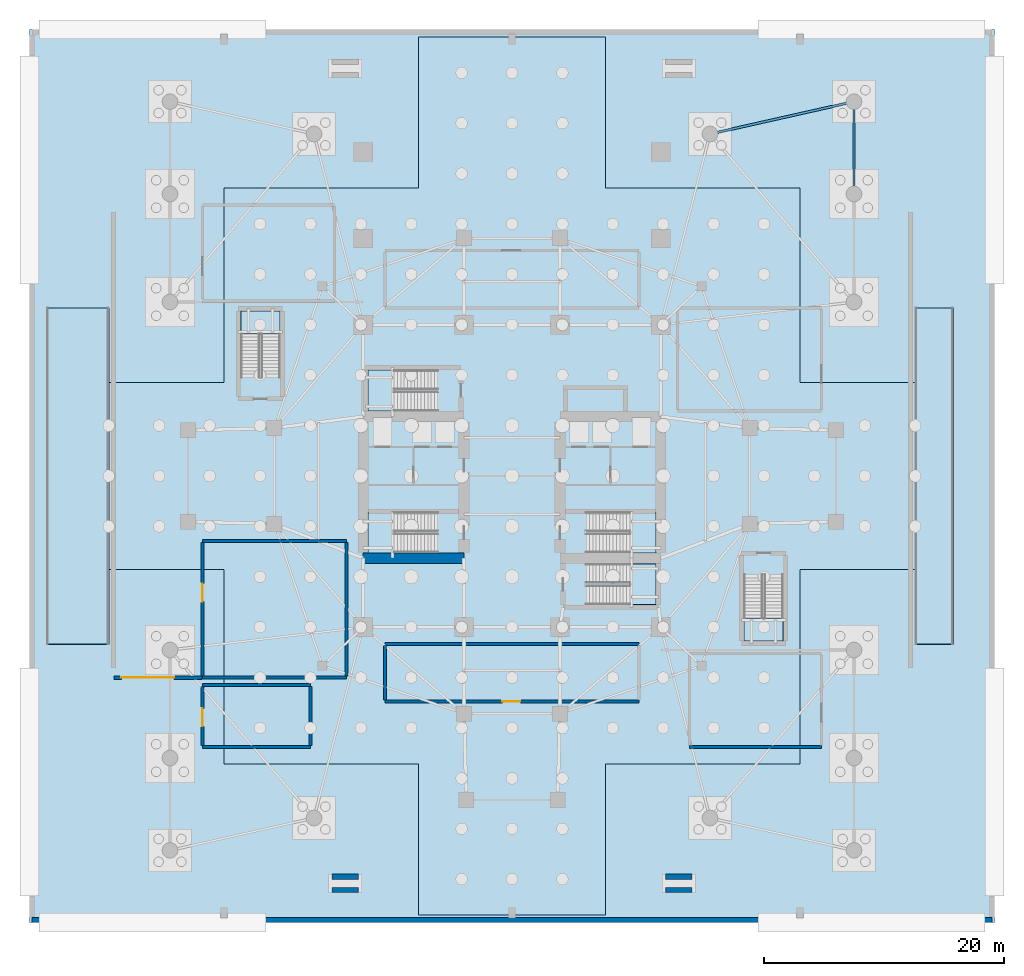
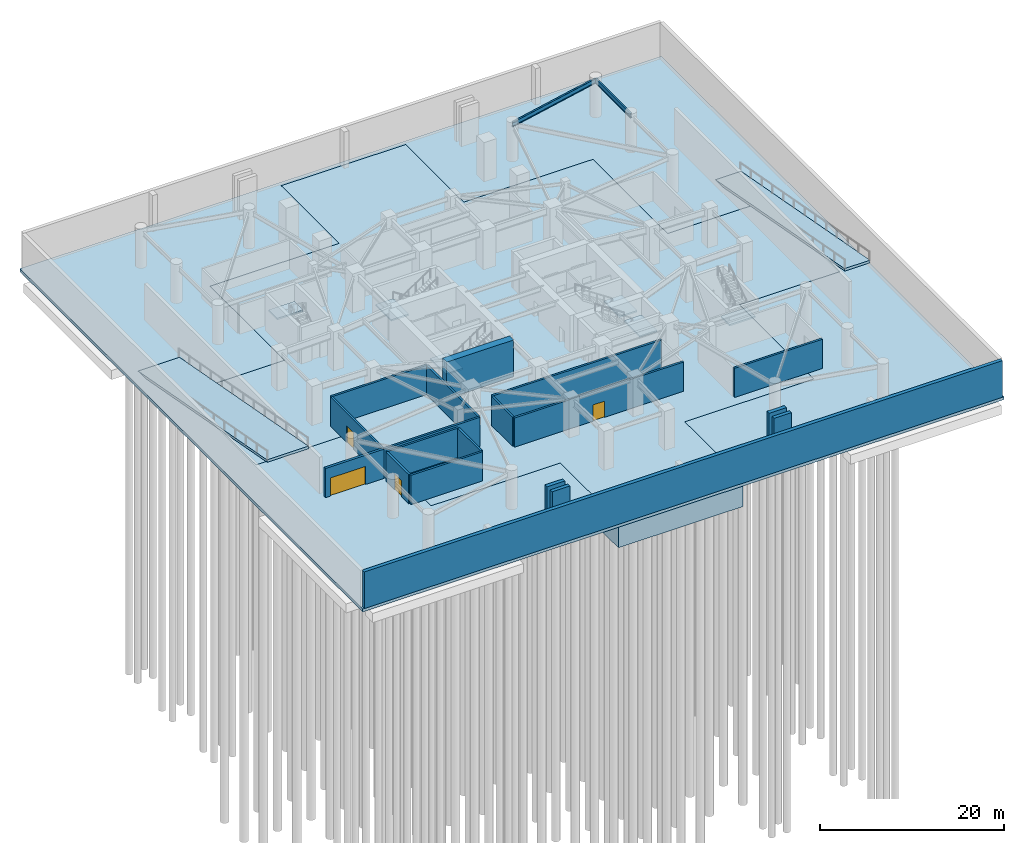
# One storey, part 4 of 14: 19 walls, 10 slabs, 4 doors, 2 beams, 4 openings, 6 elements without a shape of their own.
"""IFC4 building model written with IfcOpenShell, lengths in metres."""

from ifc_helpers import new_model, si_unit, direction, frame, frame_2d, origin, origin_2d, place, context, subcontext, project, spatial, polyline, rectangle, i_section, outline, extrude, material, layer, layer_set, material_profile, profile_set, type_object, element, fill, aggregate, save


model = new_model("IFC4")

# Units and contexts
model_context = context("Model", 3, precision=1e-05, world=origin(), true_north=direction((0.0, 1.0)))
body_context = subcontext(model_context, "Body", "Model", "MODEL_VIEW")
ifc_project = project(units=[si_unit("LENGTHUNIT", "METRE"), si_unit("AREAUNIT", "SQUARE_METRE"), si_unit("VOLUMEUNIT", "CUBIC_METRE"), si_unit("PLANEANGLEUNIT", "RADIAN"), si_unit("MASSUNIT", "GRAM", prefix="KILO")], contexts=[model_context])

# Site, building, storey
site_placement = place(None, origin())
site = spatial("IfcSite", under=ifc_project, at=site_placement, CompositionType="ELEMENT")
building_placement = place(site_placement, origin())
building = spatial("IfcBuilding", under=site, at=building_placement, Name="Qingluan Cross Belvedere", CompositionType="ELEMENT")
storey_placement = place(building_placement, frame((0.0, 0.0, -10.39990234375)))
storey = spatial("IfcBuildingStorey", under=building, at=storey_placement, Name="B2", CompositionType="ELEMENT", Elevation=-10.39990234375)

# Beams
ifc_material_1 = material(Name="Steel Q420GJB", Category="steel")
ifc_material_profile = material_profile(ifc_material_1, i_section(OverallWidth=0.199951171875, OverallDepth=0.60009765625, WebThickness=0.010986328125, FlangeThickness=0.01708984375, FilletRadius=0.01806640625, at=origin_2d()), Name="HN600x200x11x17")
ifc_profile_set = profile_set([ifc_material_profile], Name="Steel Q420GJB")
beam_type = type_object("IfcBeamType", Name="Steel_Beam_HN600x200x11x17", PredefinedType="JOIST", material=ifc_profile_set)
beam_1_placement = place(storey_placement, frame((28.5, 23.5, 4.5498046875), z_axis=(0.0, 1.0, 0.0), x_axis=(-1.0, 0.0, 0.0)))
element("IfcBeam", 1, at=beam_1_placement, inside=storey, type_object=beam_type, Name="Podium quadrant tie beam B2-EN24", PredefinedType="JOIST", context=body_context, shape_type="SweptSolid", body=[
    extrude(i_section(OverallWidth=0.199951171875, OverallDepth=0.60009765625, WebThickness=0.010986328125, FlangeThickness=0.01708984375, FilletRadius=0.01806640625, at=origin_2d()), origin(), (0.0, 0.0, 1.0), 7.699951171875),
])
beam_2_placement = place(storey_placement, frame((16.5, 28.5, 4.5498046875), z_axis=(0.975610606249, 0.219508416636, 0.0), x_axis=(-0.219508416636, 0.975610606249, 0.0)))
element("IfcBeam", 2, at=beam_2_placement, inside=storey, type_object=beam_type, Name="Podium quadrant tie beam B2-EN34", PredefinedType="JOIST", context=body_context, shape_type="SweptSolid", body=[
    extrude(i_section(OverallWidth=0.199951171875, OverallDepth=0.60009765625, WebThickness=0.010986328125, FlangeThickness=0.01708984375, FilletRadius=0.01806640625, at=origin_2d()), origin(), (0.0, 0.0, 1.0), 12.300048828125),
])

# Slabs
ifc_material_2 = material(Name="Concrete C40", Category="concrete")
ifc_layer_1 = layer(ifc_material_2, 0.39990234375, Name="BasementMat_400")
ifc_layer_set_1 = layer_set([ifc_layer_1], Name="Concrete C40")
slab_type_1 = type_object("IfcSlabType", Name="BasementMat_400", PredefinedType="BASESLAB", material=ifc_layer_set_1)
slab_1_placement = place(storey_placement, frame((0.0, 0.0, -0.400146484375)))
element("IfcSlab", 3, at=slab_1_placement, inside=storey, type_object=slab_type_1, Name="Basement mat slab sector 1", PredefinedType="BASESLAB", context=body_context, shape_type="SweptSolid", body=[
    extrude(outline(polyline([(-40.199951171875, -37.199951171875), (-40.199951171875, 37.199951171875), (40.199951171875, 37.199951171875), (40.199951171875, -37.199951171875), (-40.199951171875, -37.199951171875)]), holes=[polyline([(24.0, -24.0), (24.0, -7.800048828125), (36.60009765625, -7.800048828125), (36.60009765625, 7.800048828125), (24.0, 7.800048828125), (24.0, 24.0), (7.800048828125, 24.0), (7.800048828125, 36.60009765625), (-7.800048828125, 36.60009765625), (-7.800048828125, 24.0), (-24.0, 24.0), (-24.0, 7.800048828125), (-36.60009765625, 7.800048828125), (-36.60009765625, -7.800048828125), (-24.0, -7.800048828125), (-24.0, -24.0), (-7.800048828125, -24.0), (-7.800048828125, -36.60009765625), (7.800048828125, -36.60009765625), (7.800048828125, -24.0), (24.0, -24.0)])]), origin(), (0.0, 0.0, 1.0), 0.400146484375),
])
ifc_material_3 = material(Name="Concrete C40", Category="concrete")
ifc_layer_2 = layer(ifc_material_3, 3.60009765625, Name="RaftSlab_3600")
ifc_layer_set_2 = layer_set([ifc_layer_2], Name="Concrete C40")
slab_type_2 = type_object("IfcSlabType", Name="RaftSlab_3600", PredefinedType="BASESLAB", material=ifc_layer_set_2)
slab_2_placement = place(storey_placement, frame((0.0, 0.0, -3.60009765625)))
element("IfcSlab", 4, at=slab_2_placement, inside=storey, type_object=slab_type_2, Name="Tower piled raft foundation 3600", PredefinedType="BASESLAB", context=body_context, shape_type="SweptSolid", body=[
    extrude(outline(polyline([(7.800048828125, -24.0), (7.800048828125, -36.60009765625), (-7.800048828125, -36.60009765625), (-7.800048828125, -24.0), (-24.0, -24.0), (-24.0, -7.800048828125), (-36.60009765625, -7.800048828125), (-36.60009765625, 7.800048828125), (-24.0, 7.800048828125), (-24.0, 24.0), (-7.800048828125, 24.0), (-7.800048828125, 36.60009765625), (7.800048828125, 36.60009765625), (7.800048828125, 24.0), (24.0, 24.0), (24.0, 7.800048828125), (36.60009765625, 7.800048828125), (36.60009765625, -7.800048828125), (24.0, -7.800048828125), (24.0, -24.0), (7.800048828125, -24.0)])), origin(), (0.0, 0.0, 1.0), 3.60009765625),
])

# Stair, slab
ifc_material_4 = material(Name="Concrete C40", Category="concrete")
stair_type_1 = type_object("IfcStairType", Name="CoreDoglegStair_1620", PredefinedType="HALF_TURN_STAIR", material=ifc_material_4)
stair_1_placement = place(storey_placement, origin())
stair_1 = element("IfcStair", 5, at=stair_1_placement, inside=storey, type_object=stair_type_1, Name="B2 ST1", PredefinedType="HALF_TURN_STAIR")
ifc_material_5 = material(Name="Concrete C40", Category="concrete")
ifc_layer_3 = layer(ifc_material_5, 0.179931640625, Name="StairLandingSlab_180")
ifc_layer_set_3 = layer_set([ifc_layer_3], Name="Concrete C40")
slab_type_3 = type_object("IfcSlabType", Name="StairLandingSlab_180", PredefinedType="LANDING", material=ifc_layer_set_3)
slab_3_placement = place(storey_placement, frame((0.0, 0.0, 2.39990234375)))
slab_3 = element("IfcSlab", 6, at=slab_3_placement, type_object=slab_type_3, Name="ST1 landing 1", PredefinedType="LANDING", context=body_context, shape_type="SweptSolid", body=[
    extrude(outline(polyline([(-9.820068359375, -3.0), (-12.0, -3.0), (-12.0, -6.39990234375), (-9.820068359375, -6.39990234375), (-9.820068359375, -3.0)])), origin(), (0.0, 0.0, 1.0), 0.199951171875),
])
aggregate(stair_1, [slab_3])

stair_2_placement = place(storey_placement, origin())
stair_2 = element("IfcStair", 7, at=stair_2_placement, inside=storey, type_object=stair_type_1, Name="B2 ST2", PredefinedType="HALF_TURN_STAIR")
slab_4_placement = place(storey_placement, frame((0.0, 0.0, 2.39990234375)))
slab_4 = element("IfcSlab", 8, at=slab_4_placement, type_object=slab_type_3, Name="ST2 landing 1", PredefinedType="LANDING", context=body_context, shape_type="SweptSolid", body=[
    extrude(outline(polyline([(9.820068359375, -6.39990234375), (12.0, -6.39990234375), (12.0, -3.0), (9.820068359375, -3.0), (9.820068359375, -6.39990234375)])), origin(), (0.0, 0.0, 1.0), 0.199951171875),
])
aggregate(stair_2, [slab_4])

stair_3_placement = place(storey_placement, origin())
stair_3 = element("IfcStair", 9, at=stair_3_placement, inside=storey, type_object=stair_type_1, Name="B2 ST3", PredefinedType="HALF_TURN_STAIR")
slab_5_placement = place(storey_placement, frame((0.0, 0.0, 2.39990234375)))
slab_5 = element("IfcSlab", 10, at=slab_5_placement, type_object=slab_type_3, Name="ST3 landing 1", PredefinedType="LANDING", context=body_context, shape_type="SweptSolid", body=[
    extrude(outline(polyline([(-9.820068359375, 8.820068359375), (-12.0, 8.820068359375), (-12.0, 5.419921875), (-9.820068359375, 5.419921875), (-9.820068359375, 8.820068359375)])), origin(), (0.0, 0.0, 1.0), 0.199951171875),
])
aggregate(stair_3, [slab_5])

stair_4_placement = place(storey_placement, origin())
stair_4 = element("IfcStair", 11, at=stair_4_placement, inside=storey, type_object=stair_type_1, Name="B2 ST4", PredefinedType="HALF_TURN_STAIR")
slab_6_placement = place(storey_placement, frame((0.0, 0.0, 2.39990234375)))
slab_6 = element("IfcSlab", 12, at=slab_6_placement, type_object=slab_type_3, Name="ST4 landing 1", PredefinedType="LANDING", context=body_context, shape_type="SweptSolid", body=[
    extrude(outline(polyline([(9.820068359375, -10.719970703125), (12.0, -10.719970703125), (12.0, -7.320068359375), (9.820068359375, -7.320068359375), (9.820068359375, -10.719970703125)])), origin(), (0.0, 0.0, 1.0), 0.199951171875),
])
aggregate(stair_4, [slab_6])

ifc_material_6 = material(Name="Concrete C40", Category="concrete")
stair_type_2 = type_object("IfcStairType", Name="PodiumExitStair_1550", PredefinedType="HALF_TURN_STAIR", material=ifc_material_6)
stair_5_placement = place(storey_placement, origin())
stair_5 = element("IfcStair", 13, at=stair_5_placement, inside=storey, type_object=stair_type_2, Name="B2 ST5", PredefinedType="HALF_TURN_STAIR")
slab_7_placement = place(storey_placement, frame((0.0, 0.0, 2.39990234375)))
slab_7 = element("IfcSlab", 14, at=slab_7_placement, type_object=slab_type_3, Name="ST5 landing 1", PredefinedType="LANDING", context=body_context, shape_type="SweptSolid", body=[
    extrude(outline(polyline([(-19.340087890625, 11.85009765625), (-19.340087890625, 13.72998046875), (-22.60009765625, 13.72998046875), (-22.60009765625, 11.85009765625), (-19.340087890625, 11.85009765625)])), origin(), (0.0, 0.0, 1.0), 0.199951171875),
])
aggregate(stair_5, [slab_7])

stair_6_placement = place(storey_placement, origin())
stair_6 = element("IfcStair", 15, at=stair_6_placement, inside=storey, type_object=stair_type_2, Name="B2 ST6", PredefinedType="HALF_TURN_STAIR")
slab_8_placement = place(storey_placement, frame((0.0, 0.0, 2.39990234375)))
slab_8 = element("IfcSlab", 16, at=slab_8_placement, type_object=slab_type_3, Name="ST6 landing 1", PredefinedType="LANDING", context=body_context, shape_type="SweptSolid", body=[
    extrude(outline(polyline([(19.340087890625, -11.85009765625), (19.340087890625, -13.72998046875), (22.60009765625, -13.72998046875), (22.60009765625, -11.85009765625), (19.340087890625, -11.85009765625)])), origin(), (0.0, 0.0, 1.0), 0.199951171875),
])
aggregate(stair_6, [slab_8])

# Slabs
ifc_material_7 = material(Name="Concrete C40", Category="concrete")
ifc_layer_4 = layer(ifc_material_7, 0.300048828125, Name="VehicleRampSlab_300")
ifc_layer_set_4 = layer_set([ifc_layer_4], Name="Concrete C40")
slab_type_4 = type_object("IfcSlabType", Name="VehicleRampSlab_300", PredefinedType="FLOOR", material=ifc_layer_set_4)
slab_9_placement = place(storey_placement, frame((-33.60009765625, 14.0, 0.0), z_axis=(0.0, 0.18259053646, 0.983189043875), x_axis=(-1.0, 0.0, 0.0)))
element("IfcSlab", 17, at=slab_9_placement, inside=storey, type_object=slab_type_4, Name="Vehicle ramp structural slab VR1 (Concrete C40)", PredefinedType="FLOOR", context=body_context, shape_type="SweptSolid", body=[
    extrude(outline(polyline([(0.0, 0.0), (5.199951171875, 0.0), (5.199951171875, 28.4787551025301), (0.0, 28.4787551025301), (0.0, 0.0)])), origin(), (0.0, 0.0, -1.0), 0.300048828125),
])
slab_10_placement = place(storey_placement, frame((36.800048828125, 14.0, 0.0), z_axis=(0.0, 0.18259053646, 0.983189043875), x_axis=(-1.0, 0.0, 0.0)))
element("IfcSlab", 18, at=slab_10_placement, inside=storey, type_object=slab_type_4, Name="Vehicle ramp structural slab VR3 (Concrete C40)", PredefinedType="FLOOR", context=body_context, shape_type="SweptSolid", body=[
    extrude(outline(polyline([(0.0, 0.0), (3.199951171875, 0.0), (3.199951171875, 28.478755102530105), (0.0, 28.478755102530105), (0.0, 0.0)])), origin(), (0.0, 0.0, -1.0), 0.300048828125),
])

# Walls
ifc_material_8 = material(Name="Concrete C50", Category="concrete")
ifc_layer_5 = layer(ifc_material_8, 0.449951171875, Name="CoreShearWall_450")
ifc_layer_set_5 = layer_set([ifc_layer_5], Name="Concrete C50")
wall_type_1 = type_object("IfcWallType", Name="CoreShearWall_450", PredefinedType="SHEAR", material=ifc_layer_set_5)
for number, where, z_axis, x_axis, name in (
    (19, (-15.0, -34.5, 0.0), (0.0, 0.0, 1.0), (1.0, 0.0, 0.0), "Entrance ramp structural support wall B2-1"),
    (20, (-15.0, -33.39990234375, 0.0), (0.0, 0.0, 1.0), (1.0, 0.0, 0.0), "Entrance ramp structural support wall B2-2"),
    (21, (12.800048828125, -34.5, 0.0), (0.0, 0.0, 1.0), (1.0, 0.0, 0.0), "Entrance ramp structural support wall B2-3"),
    (22, (12.800048828125, -33.39990234375, 0.0), (0.0, 0.0, 1.0), (1.0, 0.0, 0.0), "Entrance ramp structural support wall B2-4"),
):
    element("IfcWall", number, at=place(storey_placement, frame(where, z_axis=z_axis, x_axis=x_axis)), inside=storey, type_object=wall_type_1, Name=name, PredefinedType="SHEAR", context=body_context, shape_type="SweptSolid", body=[
        extrude(rectangle(XDim=2.199951171875, YDim=0.449951171875, at=frame_2d((1.10009765625, 0.0))), origin(), (0.0, 0.0, 1.0), 5.199951171875),
    ])
ifc_material_9 = material(Name="Concrete C70", Category="concrete")
ifc_layer_6 = layer(ifc_material_9, 0.89990234375, Name="CoreShearWall_900")
ifc_layer_set_6 = layer_set([ifc_layer_6], Name="Concrete C70")
wall_type_2 = type_object("IfcWallType", Name="CoreShearWall_900", PredefinedType="SHEAR", material=ifc_layer_set_6)
wall_1_placement = place(storey_placement, frame((-12.39990234375, -6.85009765625, 0.0), z_axis=(0.0, 0.0, 1.0), x_axis=(1.0, 0.0, 0.0)))
element("IfcWall", 23, at=wall_1_placement, inside=storey, type_object=wall_type_2, Name="Split core W shear wall B2-S", PredefinedType="SHEAR", context=body_context, shape_type="SweptSolid", body=[
    extrude(rectangle(XDim=8.39990234375, YDim=0.89990234375, at=frame_2d((4.199951171875, 0.0))), origin(), (0.0, 0.0, 1.0), 4.849853515625),
])

# Wall, opening, door
ifc_material_10 = material(Name="Concrete C40", Category="concrete")
ifc_layer_7 = layer(ifc_material_10, 0.300048828125, Name="FireCompartmentWall_300")
ifc_layer_set_7 = layer_set([ifc_layer_7], Name="Concrete C40")
wall_type_3 = type_object("IfcWallType", Name="FireCompartmentWall_300", PredefinedType="SOLIDWALL", material=ifc_layer_set_7)
wall_2_placement = place(storey_placement, frame((-33.14990234375, -16.800048828125, 0.0), z_axis=(0.0, 0.0, 1.0), x_axis=(1.0, 0.0, 0.0)))
wall_2 = element("IfcWall", 24, at=wall_2_placement, inside=storey, type_object=wall_type_3, Name="Basement car park vehicle entry portal wall B2", PredefinedType="SOLIDWALL", context=body_context, shape_type="SweptSolid", body=[
    extrude(rectangle(XDim=7.2998046875, YDim=0.300048828125, at=frame_2d((3.64990234375, 0.0))), origin(), (0.0, 0.0, 1.0), 3.869873046875),
])
opening_1_placement = place(wall_2_placement, frame((0.60009765625, 0.0, 0.0)))
opening_1 = element("IfcOpeningElement", 25, at=opening_1_placement, cuts=wall_2, Name="Opening VG-44", PredefinedType="OPENING", context=body_context, shape_type="SweptSolid", body=[
    extrude(rectangle(XDim=4.39990234375, YDim=2.39990234375, at=frame_2d((2.199951171875, 1.199951171875))), frame((0.0, 0.159912109375, 0.0), z_axis=(0.0, -1.0, 0.0), x_axis=(1.0, 0.0, 0.0)), (0.0, 0.0, 1.0), 0.320068359375),
])
ifc_material_11 = material(Name="Insulated galvanized steel roller shutter", Category="steel")
door_type_1 = type_object("IfcDoorType", Name="VehicleRollerGate_4400", OperationType="ROLLINGUP", PredefinedType="GATE", material=ifc_material_11)
door_1_placement = place(opening_1_placement, origin())
door_1 = element("IfcDoor", 26, at=door_1_placement, inside=storey, type_object=door_type_1, Name="Basement car park vehicle entry roller gate B2", OperationType="ROLLINGUP", OverallHeight=2.39990234375, OverallWidth=4.39990234375, PredefinedType="GATE", context=body_context, shape_type="SweptSolid", body=[
    extrude(rectangle(XDim=4.39990234375, YDim=2.39990234375, at=frame_2d((2.199951171875, 1.199951171875))), frame((0.0, 0.02490234375, 0.0), z_axis=(0.0, -1.0, 0.0), x_axis=(1.0, 0.0, 0.0)), (0.0, 0.0, 1.0), 0.050048828125),
])
fill(opening_1, door_1)

# Walls
for number, where, z_axis, x_axis, name in (
    (27, (-25.800048828125, -16.800048828125, 0.0), (0.0, 0.0, 1.0), (1.0, 0.0, 0.0), "Partition B2:chiller_plant:S"),
    (28, (-25.800048828125, -5.39990234375, 0.0), (0.0, 0.0, 1.0), (1.0, 0.0, 0.0), "Partition B2:chiller_plant:N"),
):
    element("IfcWall", number, at=place(storey_placement, frame(where, z_axis=z_axis, x_axis=x_axis)), inside=storey, type_object=wall_type_3, Name=name, PredefinedType="SOLIDWALL", context=body_context, shape_type="SweptSolid", body=[
        extrude(rectangle(XDim=12.0, YDim=0.25, at=frame_2d((6.0, 0.0))), origin(), (0.0, 0.0, 1.0), 3.869873046875),
    ])

# Wall, opening, door
wall_3_placement = place(storey_placement, frame((-25.800048828125, -16.669921875, 0.0), z_axis=(0.0, 0.0, 1.0), x_axis=(0.0, 1.0, 0.0)))
wall_3 = element("IfcWall", 29, at=wall_3_placement, inside=storey, type_object=wall_type_3, Name="Partition B2:chiller_plant:W", PredefinedType="SOLIDWALL", context=body_context, shape_type="SweptSolid", body=[
    extrude(rectangle(XDim=11.139892578125, YDim=0.25, at=frame_2d((5.56982421875, 0.0))), origin(), (0.0, 0.0, 1.0), 3.869873046875),
])
opening_2_placement = place(wall_3_placement, frame((6.199951171875, 0.0, 0.0)))
opening_2 = element("IfcOpeningElement", 30, at=opening_2_placement, cuts=wall_3, Name="Opening FD-A15", PredefinedType="OPENING", context=body_context, shape_type="SweptSolid", body=[
    extrude(rectangle(XDim=1.5, YDim=2.14990234375, at=frame_2d((0.75, 1.074951171875))), frame((0.0, 0.135009765625, 0.0), z_axis=(0.0, -1.0, 0.0), x_axis=(1.0, 0.0, 0.0)), (0.0, 0.0, 1.0), 0.27001953125),
])
ifc_material_12 = material(Name="Insulated steel Class A double fire door", Category="steel")
door_type_2 = type_object("IfcDoorType", Name="PlantDoubleFireDoor_FDA", OperationType="DOUBLE_DOOR_SINGLE_SWING", PredefinedType="DOOR", material=ifc_material_12)
door_2_placement = place(opening_2_placement, origin())
door_2 = element("IfcDoor", 31, at=door_2_placement, inside=storey, type_object=door_type_2, Name="Central chiller cooling plant room B2 door", OperationType="DOUBLE_DOOR_SINGLE_SWING", OverallHeight=2.14990234375, OverallWidth=1.5, PredefinedType="DOOR", context=body_context, shape_type="SweptSolid", body=[
    extrude(rectangle(XDim=1.5, YDim=2.14990234375, at=frame_2d((0.75, 1.074951171875))), frame((0.0, 0.02490234375, 0.0), z_axis=(0.0, -1.0, 0.0), x_axis=(1.0, 0.0, 0.0)), (0.0, 0.0, 1.0), 0.050048828125),
])
fill(opening_2, door_2)

# Walls
wall_4_placement = place(storey_placement, frame((-13.800048828125, -16.669921875, 0.0), z_axis=(0.0, 0.0, 1.0), x_axis=(0.0, 1.0, 0.0)))
element("IfcWall", 32, at=wall_4_placement, inside=storey, type_object=wall_type_3, Name="Partition B2:chiller_plant:E", PredefinedType="SOLIDWALL", context=body_context, shape_type="SweptSolid", body=[
    extrude(rectangle(XDim=11.139892578125, YDim=0.25, at=frame_2d((5.56982421875, 0.0))), origin(), (0.0, 0.0, 1.0), 3.869873046875),
])
wall_5_placement = place(storey_placement, frame((14.800048828125, -22.60009765625, 0.0), z_axis=(0.0, 0.0, 1.0), x_axis=(1.0, 0.0, 0.0)))
element("IfcWall", 33, at=wall_5_placement, inside=storey, type_object=wall_type_3, Name="Partition B2:fire_tank_pump:S", PredefinedType="SOLIDWALL", context=body_context, shape_type="SweptSolid", body=[
    extrude(rectangle(XDim=11.0, YDim=0.25, at=frame_2d((5.5, 0.0))), origin(), (0.0, 0.0, 1.0), 3.869873046875),
])
for number, where, z_axis, x_axis, name in (
    (34, (-25.800048828125, -22.60009765625, 0.0), (0.0, 0.0, 1.0), (1.0, 0.0, 0.0), "Partition B2:fire_tank_w:S"),
    (35, (-25.800048828125, -17.39990234375, 0.0), (0.0, 0.0, 1.0), (1.0, 0.0, 0.0), "Partition B2:fire_tank_w:N"),
):
    element("IfcWall", number, at=place(storey_placement, frame(where, z_axis=z_axis, x_axis=x_axis)), inside=storey, type_object=wall_type_3, Name=name, PredefinedType="SOLIDWALL", context=body_context, shape_type="SweptSolid", body=[
        extrude(rectangle(XDim=9.0, YDim=0.25, at=frame_2d((4.5, 0.0))), origin(), (0.0, 0.0, 1.0), 3.869873046875),
    ])

# Wall, opening, door
wall_6_placement = place(storey_placement, frame((-25.800048828125, -22.469970703125, 0.0), z_axis=(0.0, 0.0, 1.0), x_axis=(0.0, 1.0, 0.0)))
wall_6 = element("IfcWall", 36, at=wall_6_placement, inside=storey, type_object=wall_type_3, Name="Partition B2:fire_tank_w:W", PredefinedType="SOLIDWALL", context=body_context, shape_type="SweptSolid", body=[
    extrude(rectangle(XDim=4.93994140625, YDim=0.25, at=frame_2d((2.469970703125, 0.0))), origin(), (0.0, 0.0, 1.0), 3.869873046875),
])
opening_3_placement = place(wall_6_placement, frame((1.60009765625, 0.0, 0.0)))
opening_3 = element("IfcOpeningElement", 37, at=opening_3_placement, cuts=wall_6, Name="Opening FD-A15", PredefinedType="OPENING", context=body_context, shape_type="SweptSolid", body=[
    extrude(rectangle(XDim=1.5, YDim=2.14990234375, at=frame_2d((0.75, 1.074951171875))), frame((0.0, 0.135009765625, 0.0), z_axis=(0.0, -1.0, 0.0), x_axis=(1.0, 0.0, 0.0)), (0.0, 0.0, 1.0), 0.27001953125),
])
door_3_placement = place(opening_3_placement, origin())
door_3 = element("IfcDoor", 38, at=door_3_placement, inside=storey, type_object=door_type_2, Name="Fire water reserve tank room West B2 door", OperationType="DOUBLE_DOOR_SINGLE_SWING", OverallHeight=2.14990234375, OverallWidth=1.5, PredefinedType="DOOR", context=body_context, shape_type="SweptSolid", body=[
    extrude(rectangle(XDim=1.5, YDim=2.14990234375, at=frame_2d((0.75, 1.074951171875))), frame((0.0, 0.02490234375, 0.0), z_axis=(0.0, -1.0, 0.0), x_axis=(1.0, 0.0, 0.0)), (0.0, 0.0, 1.0), 0.050048828125),
])
fill(opening_3, door_3)

# Wall
wall_7_placement = place(storey_placement, frame((-16.800048828125, -22.469970703125, 0.0), z_axis=(0.0, 0.0, 1.0), x_axis=(0.0, 1.0, 0.0)))
element("IfcWall", 39, at=wall_7_placement, inside=storey, type_object=wall_type_3, Name="Partition B2:fire_tank_w:E", PredefinedType="SOLIDWALL", context=body_context, shape_type="SweptSolid", body=[
    extrude(rectangle(XDim=4.93994140625, YDim=0.25, at=frame_2d((2.469970703125, 0.0))), origin(), (0.0, 0.0, 1.0), 3.869873046875),
])

# Wall, opening, door
wall_8_placement = place(storey_placement, frame((-10.60009765625, -18.800048828125, 0.0), z_axis=(0.0, 0.0, 1.0), x_axis=(1.0, 0.0, 0.0)))
wall_8 = element("IfcWall", 40, at=wall_8_placement, inside=storey, type_object=wall_type_3, Name="Partition B2:fire_tank_s:S", PredefinedType="SOLIDWALL", context=body_context, shape_type="SweptSolid", body=[
    extrude(rectangle(XDim=21.2001953125, YDim=0.25, at=frame_2d((10.60009765625, 0.0))), origin(), (0.0, 0.0, 1.0), 3.869873046875),
])
opening_4_placement = place(wall_8_placement, frame((9.800048828125, 0.0, 0.0)))
opening_4 = element("IfcOpeningElement", 41, at=opening_4_placement, cuts=wall_8, Name="Opening FD-A15", PredefinedType="OPENING", context=body_context, shape_type="SweptSolid", body=[
    extrude(rectangle(XDim=1.5, YDim=2.14990234375, at=frame_2d((0.75, 1.074951171875))), frame((0.0, 0.135009765625, 0.0), z_axis=(0.0, -1.0, 0.0), x_axis=(1.0, 0.0, 0.0)), (0.0, 0.0, 1.0), 0.27001953125),
])
door_4_placement = place(opening_4_placement, origin())
door_4 = element("IfcDoor", 42, at=door_4_placement, inside=storey, type_object=door_type_2, Name="Fire water main storage tank room South B2 door", OperationType="DOUBLE_DOOR_SINGLE_SWING", OverallHeight=2.14990234375, OverallWidth=1.5, PredefinedType="DOOR", context=body_context, shape_type="SweptSolid", body=[
    extrude(rectangle(XDim=1.5, YDim=2.14990234375, at=frame_2d((0.75, 1.074951171875))), frame((0.0, 0.02490234375, 0.0), z_axis=(0.0, -1.0, 0.0), x_axis=(1.0, 0.0, 0.0)), (0.0, 0.0, 1.0), 0.050048828125),
])
fill(opening_4, door_4)

# Walls
wall_9_placement = place(storey_placement, frame((-10.60009765625, -14.0, 0.0), z_axis=(0.0, 0.0, 1.0), x_axis=(1.0, 0.0, 0.0)))
element("IfcWall", 43, at=wall_9_placement, inside=storey, type_object=wall_type_3, Name="Partition B2:fire_tank_s:N", PredefinedType="SOLIDWALL", context=body_context, shape_type="SweptSolid", body=[
    extrude(rectangle(XDim=21.2001953125, YDim=0.25, at=frame_2d((10.60009765625, 0.0))), origin(), (0.0, 0.0, 1.0), 3.869873046875),
])
wall_10_placement = place(storey_placement, frame((-10.60009765625, -18.669921875, 0.0), z_axis=(0.0, 0.0, 1.0), x_axis=(0.0, 1.0, 0.0)))
element("IfcWall", 44, at=wall_10_placement, inside=storey, type_object=wall_type_3, Name="Partition B2:fire_tank_s:W", PredefinedType="SOLIDWALL", context=body_context, shape_type="SweptSolid", body=[
    extrude(rectangle(XDim=4.5400390625, YDim=0.25, at=frame_2d((2.27001953125, 0.0))), origin(), (0.0, 0.0, 1.0), 3.869873046875),
])
ifc_material_13 = material(Name="Concrete C40", Category="concrete")
ifc_layer_8 = layer(ifc_material_13, 0.449951171875, Name="RetainingWall_450")
ifc_layer_set_8 = layer_set([ifc_layer_8], Name="Concrete C40")
wall_type_4 = type_object("IfcWallType", Name="RetainingWall_450", PredefinedType="USERDEFINED", material=ifc_layer_set_8)
wall_11_placement = place(storey_placement, frame((40.0, -37.0, 0.0), z_axis=(0.0, 0.0, 1.0), x_axis=(-1.0, 0.0, 0.0)))
element("IfcWall", 45, at=wall_11_placement, inside=storey, type_object=wall_type_4, Name="Basement perimeter retaining wall B2-S", ObjectType="RETAININGWALL", PredefinedType="USERDEFINED", context=body_context, shape_type="SweptSolid", body=[
    extrude(rectangle(XDim=80.0, YDim=0.449951171875, at=frame_2d((40.0, 0.0))), origin(), (0.0, 0.0, 1.0), 4.849853515625),
])

save(model, "model.ifc")
